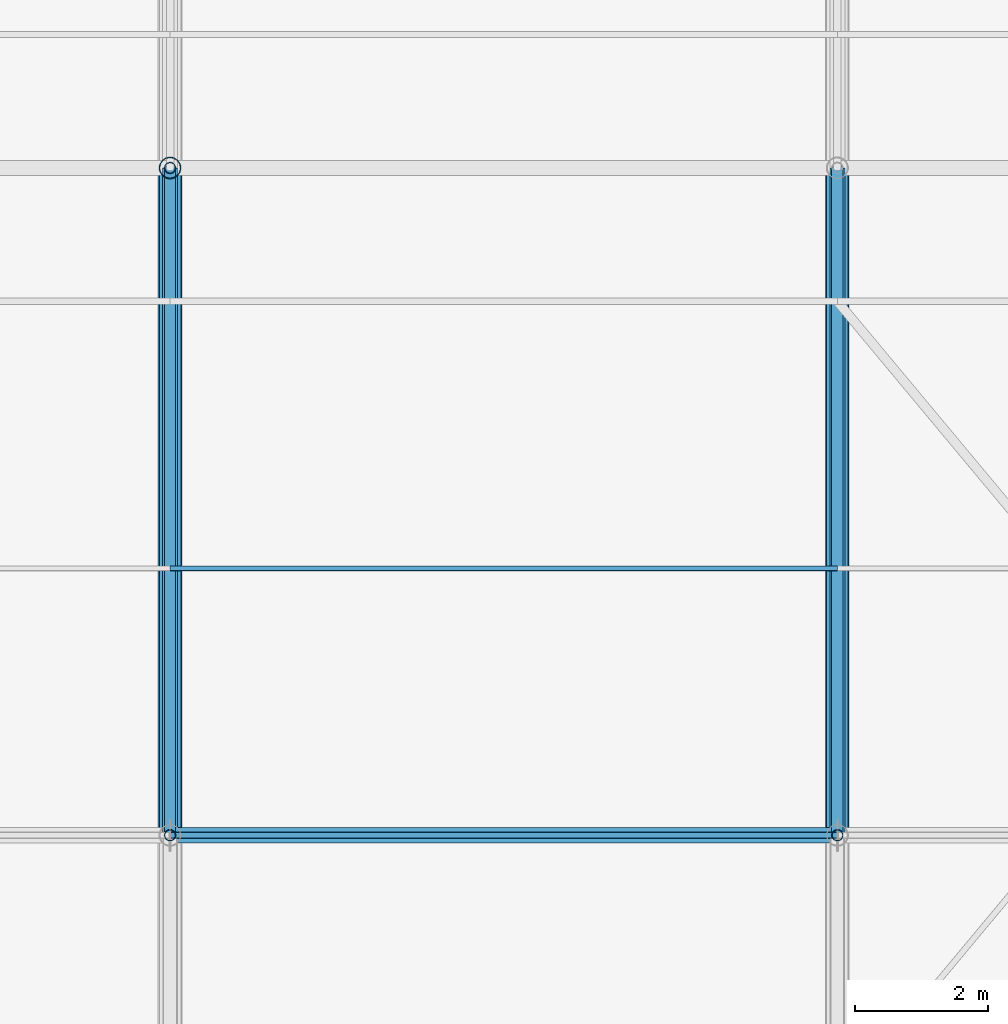
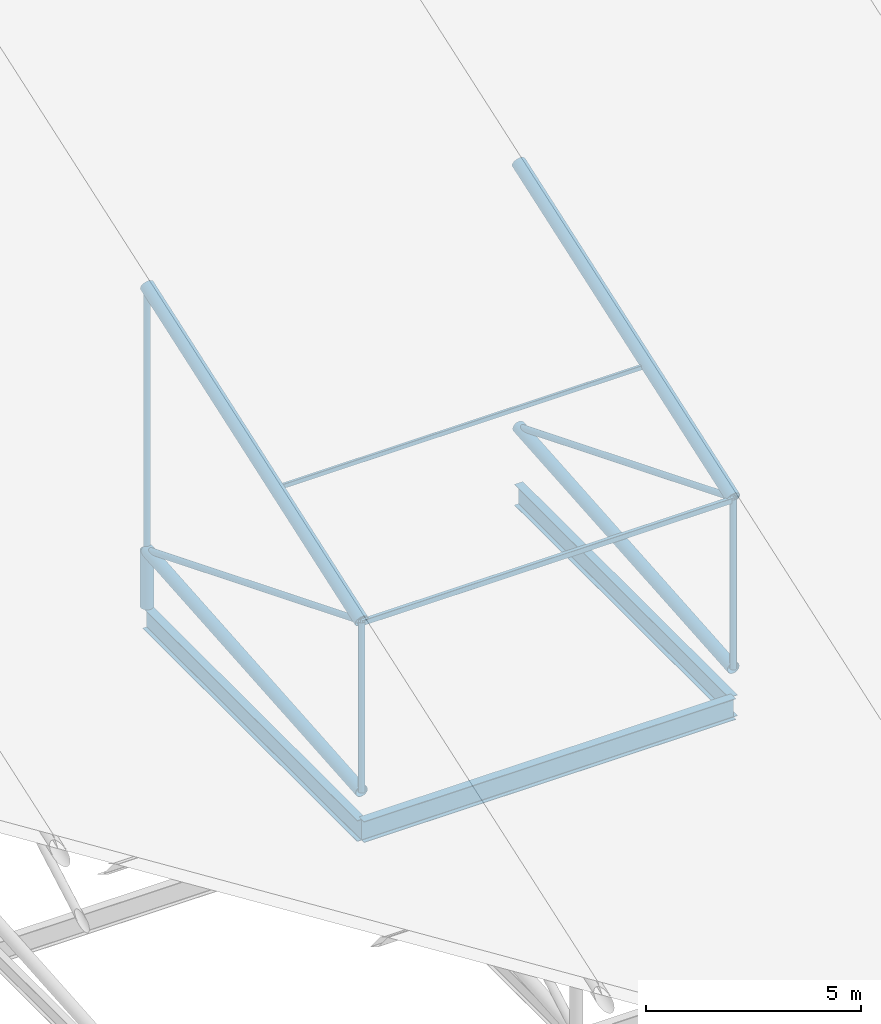
# One storey, part 24 of 93: 12 members, 3 beams.
"""IFC4 building model written with IfcOpenShell, lengths in metres."""

from ifc_helpers import new_model, si_unit, derived_unit, direction, frame, origin, origin_2d_with_axis, place, context, subcontext, project, spatial, hollow_rectangle, hollow_circle, i_section, extrude, material, material_profile, profile_set, type_object, element, save


model = new_model("IFC4")

# Units and contexts
model_context = context("Model", 3, precision=1e-05, world=origin(), true_north=direction((0.0, 1.0)))
body_context = subcontext(model_context, "Body", "Model", "MODEL_VIEW")
ifc_project = project(units=[si_unit("LENGTHUNIT", "METRE"), si_unit("AREAUNIT", "SQUARE_METRE"), si_unit("VOLUMEUNIT", "CUBIC_METRE"), si_unit("PLANEANGLEUNIT", "RADIAN"), si_unit("MASSUNIT", "GRAM", prefix="KILO"), derived_unit("THERMALTRANSMITTANCEUNIT", [(si_unit("POWERUNIT", "WATT"), 1), (si_unit("LENGTHUNIT", "METRE"), -2), (si_unit("THERMODYNAMICTEMPERATUREUNIT", "KELVIN"), -1)])], contexts=[model_context])

# Site, building, storey
site_placement = place(None, origin())
site = spatial("IfcSite", under=ifc_project, at=site_placement, CompositionType="ELEMENT")
building_placement = place(site_placement, origin())
building = spatial("IfcBuilding", under=site, at=building_placement, Name="Cinnabar Yard Market Hall", CompositionType="ELEMENT")
storey_placement = place(building_placement, frame((0.0, 0.0, 23.800048828125)))
storey = spatial("IfcBuildingStorey", under=building, at=storey_placement, Name="ROOF", CompositionType="ELEMENT", Elevation=23.800048828125)

# Beams
ifc_material_1 = material(Name="Steel Grade 300 (300 MPa)", Category="steel")
ifc_material_profile_1 = material_profile(ifc_material_1, i_section(OverallWidth=0.22802734375, OverallDepth=0.60205078125, WebThickness=0.010498046875, FlangeThickness=0.014892578125, FilletRadius=0.013916015625, at=origin_2d_with_axis()), Name="610UB101")
ifc_profile_set_1 = profile_set([ifc_material_profile_1], Name="Steel Grade 300 (300 MPa)")
beam_type = type_object("IfcBeamType", Name="BM-B02", PredefinedType="BEAM", material=ifc_profile_set_1)
for number, where, z_axis, x_axis, name in (
    (1, (126.0, 24.0, -9.700927734375), (1.0, 0.0, 0.0), (0.0, 1.0, 0.0), "Hall Longitudinal Tie Girder 00377"),
    (2, (126.0, 24.0, -9.700927734375), (0.0, 1.0, 0.0), (-1.0, 0.0, 0.0), "Hall Transverse Tie Girder 00432"),
    (3, (136.0, 24.0, -9.700927734375), (0.0, 1.0, 0.0), (-1.0, 0.0, 0.0), "Hall Transverse Tie Girder 00436"),
):
    element("IfcBeam", number, at=place(storey_placement, frame(where, z_axis=z_axis, x_axis=x_axis)), inside=storey, type_object=beam_type, Name=name, PredefinedType="BEAM", context=body_context, shape_type="SweptSolid", body=[
        extrude(i_section(OverallWidth=0.22802734375, OverallDepth=0.60205078125, WebThickness=0.010498046875, FlangeThickness=0.014892578125, FilletRadius=0.013916015625, at=origin_2d_with_axis()), origin(), (0.0, 0.0, 1.0), 10.0),
    ])

# Members
ifc_material_2 = material(Name="Cold-formed steel C350L0", Category="steel")
ifc_material_profile_2 = material_profile(ifc_material_2, hollow_circle(Radius=0.161865234375, WallThickness=0.009521484375, at=origin_2d_with_axis()), Name="323.9x9.5CHS")
ifc_profile_set_2 = profile_set([ifc_material_profile_2], Name="Cold-formed steel C350L0")
member_type_1 = type_object("IfcMemberType", Name="MB-BC01", PredefinedType="CHORD", material=ifc_profile_set_2)
for number, where, z_axis, x_axis, name in (
    (4, (126.0, 24.0, -8.60009765625), (0.0, 0.99681489162, 0.07975005859), (-1.0, 0.0, 0.0), "Hall Truss 126 Bottom Chord 2"),
    (5, (136.0, 24.0, -8.60009765625), (0.0, 0.99681489162, 0.07975005859), (-1.0, 0.0, 0.0), "Hall Truss 136 Bottom Chord 2"),
):
    element("IfcMember", number, at=place(storey_placement, frame(where, z_axis=z_axis, x_axis=x_axis)), inside=storey, type_object=member_type_1, Name=name, PredefinedType="CHORD", context=body_context, shape_type="SweptSolid", body=[
        extrude(hollow_circle(Radius=0.161865234375, WallThickness=0.009521484375, at=origin_2d_with_axis()), origin(), (0.0, 0.0, 1.0), 10.031982421875),
    ])
ifc_material_profile_3 = material_profile(ifc_material_2, hollow_circle(Radius=0.084228515625, WallThickness=0.00634765625, at=origin_2d_with_axis()), Name="168.3x6.4CHS")
ifc_profile_set_3 = profile_set([ifc_material_profile_3], Name="Cold-formed steel C350L0")
member_type_2 = type_object("IfcMemberType", Name="MB-DG02", PredefinedType="BRACE", material=ifc_profile_set_3)
for number, where, z_axis, x_axis, name in (
    (6, (126.0, 24.0, -3.76123046875), (0.0, 0.927230348791, -0.374491495607), (-1.0, 0.0, 0.0), "Hall Truss 126 Diagonal 2"),
    (7, (136.0, 24.0, -3.76123046875), (0.0, 0.927230348791, -0.374491495607), (-1.0, 0.0, 0.0), "Hall Truss 136 Diagonal 2"),
):
    element("IfcMember", number, at=place(storey_placement, frame(where, z_axis=z_axis, x_axis=x_axis)), inside=storey, type_object=member_type_2, Name=name, PredefinedType="BRACE", context=body_context, shape_type="SweptSolid", body=[
        extrude(hollow_circle(Radius=0.084228515625, WallThickness=0.00634765625, at=origin_2d_with_axis()), origin(), (0.0, 0.0, 1.0), 10.784912109375),
    ])
ifc_material_profile_4 = material_profile(ifc_material_2, hollow_rectangle(XDim=0.10009765625, YDim=0.14990234375, WallThickness=0.0048828125, InnerFilletRadius=0.0048828125, OuterFilletRadius=0.010009765625, at=origin_2d_with_axis()), Name="150x100x5.0RHS")
ifc_profile_set_4 = profile_set([ifc_material_profile_4], Name="Cold-formed steel C350L0")
member_type_3 = type_object("IfcMemberType", Name="MB-PU03", PredefinedType="PURLIN", material=ifc_profile_set_4)
member_1_placement = place(storey_placement, frame((126.0, 24.0, -3.80126953125), z_axis=(1.0, 0.0, 0.0), x_axis=(0.0, 1.0, 0.0)))
element("IfcMember", 8, at=member_1_placement, inside=storey, type_object=member_type_3, Name="Hall Roof Purlin Y24 X126", PredefinedType="PURLIN", context=body_context, shape_type="SweptSolid", body=[
    extrude(hollow_rectangle(XDim=0.10009765625, YDim=0.14990234375, WallThickness=0.0048828125, InnerFilletRadius=0.0048828125, OuterFilletRadius=0.010009765625, at=origin_2d_with_axis()), origin(), (0.0, 0.0, 1.0), 10.0),
])
ifc_material_profile_5 = material_profile(ifc_material_2, hollow_rectangle(XDim=0.074951171875, YDim=0.125, WallThickness=0.0048828125, InnerFilletRadius=0.0048828125, OuterFilletRadius=0.010009765625, at=origin_2d_with_axis()), Name="125x75x5.0RHS")
ifc_profile_set_5 = profile_set([ifc_material_profile_5], Name="Cold-formed steel C350L0")
member_type_4 = type_object("IfcMemberType", Name="MB-PU04", PredefinedType="PURLIN", material=ifc_profile_set_5)
member_2_placement = place(storey_placement, frame((126.0, 28.0, -2.4091796875), z_axis=(1.0, 0.0, 0.0), x_axis=(0.0, 1.0, 0.0)))
element("IfcMember", 9, at=member_2_placement, inside=storey, type_object=member_type_4, Name="Hall Roof Purlin Y28 X126", PredefinedType="PURLIN", context=body_context, shape_type="SweptSolid", body=[
    extrude(hollow_rectangle(XDim=0.074951171875, YDim=0.125, WallThickness=0.0048828125, InnerFilletRadius=0.0048828125, OuterFilletRadius=0.010009765625, at=origin_2d_with_axis()), origin(), (0.0, 0.0, 1.0), 10.0),
])
ifc_material_3 = material(Name="Spotted-gum glulam-clad steel Grade 350 (350 MPa)", Category="steel")
ifc_material_profile_6 = material_profile(ifc_material_3, hollow_circle(Radius=0.161865234375, WallThickness=0.009521484375, at=origin_2d_with_axis()), Name="323.9x9.5CHS")
ifc_profile_set_6 = profile_set([ifc_material_profile_6], Name="Spotted-gum glulam-clad steel Grade 350 (350 MPa)")
member_type_5 = type_object("IfcMemberType", Name="MB-ST01", PredefinedType="STRUT", material=ifc_profile_set_6)
member_3_placement = place(storey_placement, frame((126.0, 34.0, -9.400146484375), z_axis=(0.0, 0.0, 1.0), x_axis=(1.0, 0.0, 0.0)))
element("IfcMember", 10, at=member_3_placement, inside=storey, type_object=member_type_5, Name="Truss Bearing Post 126-34", PredefinedType="STRUT", context=body_context, shape_type="SweptSolid", body=[
    extrude(hollow_circle(Radius=0.161865234375, WallThickness=0.009521484375, at=origin_2d_with_axis()), origin(), (0.0, 0.0, 1.0), 1.60009765625),
])
ifc_material_profile_7 = material_profile(ifc_material_2, hollow_circle(Radius=0.177734375, WallThickness=0.0126953125, at=origin_2d_with_axis()), Name="355.6x12.7CHS")
ifc_profile_set_7 = profile_set([ifc_material_profile_7], Name="Cold-formed steel C350L0")
member_type_6 = type_object("IfcMemberType", Name="MB-TC01", PredefinedType="CHORD", material=ifc_profile_set_7)
for number, where, z_axis, x_axis, name in (
    (11, (126.0, 24.0, -3.76123046875), (0.0, 0.944432077625, 0.328706633267), (-1.0, 0.0, 0.0), "Hall Truss 126 Top Chord 2"),
    (12, (136.0, 24.0, -3.76123046875), (0.0, 0.944432077625, 0.328706633267), (-1.0, 0.0, 0.0), "Hall Truss 136 Top Chord 2"),
):
    element("IfcMember", number, at=place(storey_placement, frame(where, z_axis=z_axis, x_axis=x_axis)), inside=storey, type_object=member_type_6, Name=name, PredefinedType="CHORD", context=body_context, shape_type="SweptSolid", body=[
        extrude(hollow_circle(Radius=0.177734375, WallThickness=0.0126953125, at=origin_2d_with_axis()), origin(), (0.0, 0.0, 1.0), 10.58837890625),
    ])
ifc_material_profile_8 = material_profile(ifc_material_2, hollow_circle(Radius=0.084228515625, WallThickness=0.00634765625, at=origin_2d_with_axis()), Name="168.3x6.4CHS")
ifc_profile_set_8 = profile_set([ifc_material_profile_8], Name="Cold-formed steel C350L0")
member_type_7 = type_object("IfcMemberType", Name="MB-WB01", PredefinedType="STRUT", material=ifc_profile_set_8)
member_4_placement = place(storey_placement, frame((126.0, 24.0, -8.60009765625), z_axis=(0.0, 0.0, 1.0), x_axis=(1.0, 0.0, 0.0)))
element("IfcMember", 13, at=member_4_placement, inside=storey, type_object=member_type_7, Name="Hall Truss 126 Post 1", PredefinedType="STRUT", context=body_context, shape_type="SweptSolid", body=[
    extrude(hollow_circle(Radius=0.084228515625, WallThickness=0.00634765625, at=origin_2d_with_axis()), origin(), (0.0, 0.0, 1.0), 4.8388671875),
])
member_5_placement = place(storey_placement, frame((126.0, 34.0, -7.800048828125), z_axis=(0.0, 0.0, 1.0), x_axis=(1.0, 0.0, 0.0)))
element("IfcMember", 14, at=member_5_placement, inside=storey, type_object=member_type_7, Name="Hall Truss 126 Post 2", PredefinedType="STRUT", context=body_context, shape_type="SweptSolid", body=[
    extrude(hollow_circle(Radius=0.084228515625, WallThickness=0.00634765625, at=origin_2d_with_axis()), origin(), (0.0, 0.0, 1.0), 7.519287109375),
])
member_6_placement = place(storey_placement, frame((136.0, 24.0, -8.60009765625), z_axis=(0.0, 0.0, 1.0), x_axis=(1.0, 0.0, 0.0)))
element("IfcMember", 15, at=member_6_placement, inside=storey, type_object=member_type_7, Name="Hall Truss 136 Post 1", PredefinedType="STRUT", context=body_context, shape_type="SweptSolid", body=[
    extrude(hollow_circle(Radius=0.084228515625, WallThickness=0.00634765625, at=origin_2d_with_axis()), origin(), (0.0, 0.0, 1.0), 4.8388671875),
])

save(model, "model.ifc")
